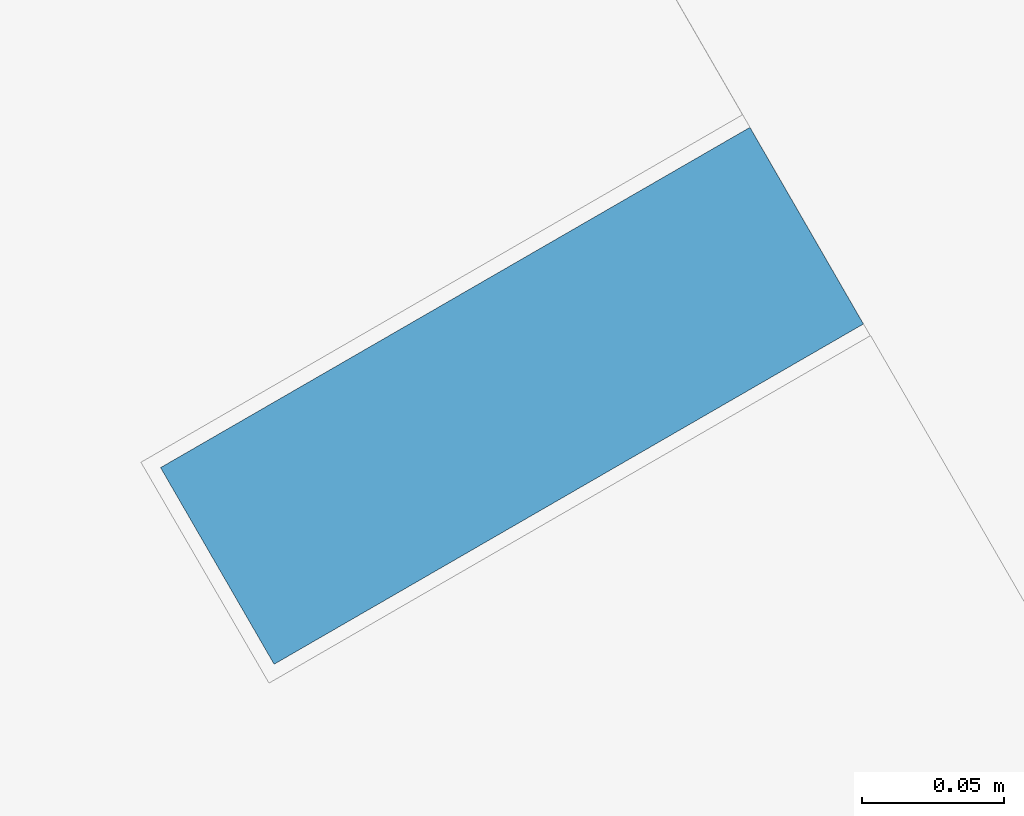
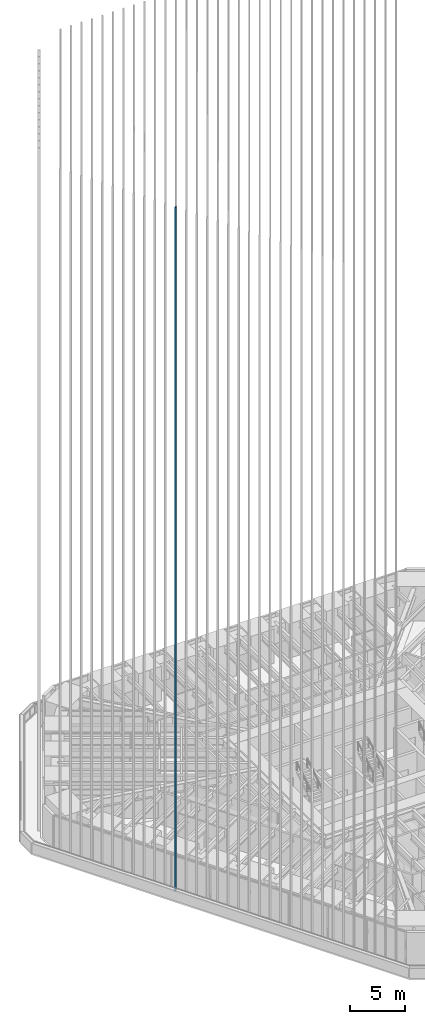
# One storey, part 44 of 238: 1 member, 1 element without a shape of its own.
"""IFC4 building model written with IfcOpenShell, lengths in metres."""

from ifc_helpers import new_model, si_unit, direction, frame, origin, origin_2d, place, context, subcontext, project, spatial, rectangle, extrude, material, material_profile, profile_set, type_object, element, aggregate, save


model = new_model("IFC4")

# Units and contexts
model_context = context("Model", 3, precision=1e-05, world=origin(), true_north=direction((0.0, 1.0)))
body_context = subcontext(model_context, "Body", "Model", "MODEL_VIEW")
ifc_project = project(units=[si_unit("LENGTHUNIT", "METRE"), si_unit("AREAUNIT", "SQUARE_METRE"), si_unit("VOLUMEUNIT", "CUBIC_METRE"), si_unit("PLANEANGLEUNIT", "RADIAN"), si_unit("MASSUNIT", "GRAM", prefix="KILO")], contexts=[model_context])

# Site, building, storey
site_placement = place(None, origin())
site = spatial("IfcSite", under=ifc_project, at=site_placement, CompositionType="ELEMENT")
building_placement = place(site_placement, origin())
building = spatial("IfcBuilding", under=site, at=building_placement, Name="Sandreach Pilgrim Tower", CompositionType="ELEMENT")
storey_placement = place(building_placement, frame((0.0, 0.0, 96.800048828125)))
storey = spatial("IfcBuildingStorey", under=building, at=storey_placement, Name="L23", CompositionType="ELEMENT", Elevation=96.800048828125)

# Curtain wall, member
ifc_material_1 = material(Name="Aluminium framed curtain wall", Category="aluminium")
curtain_wall_type = type_object("IfcCurtainWallType", Name="Hotel tower curtain wall", PredefinedType="NOTDEFINED", material=ifc_material_1)
curtain_wall_placement = place(storey_placement, origin())
curtain_wall = element("IfcCurtainWall", 1, at=curtain_wall_placement, inside=storey, type_object=curtain_wall_type, Name="CW-2 L23 SW", PredefinedType="NOTDEFINED")
ifc_material_2 = material(Name="Extruded terracotta on aluminium core", Category="masonry")
ifc_material_profile = material_profile(ifc_material_2, rectangle(XDim=0.080078125, YDim=0.239990234375, at=origin_2d()), Name="TBW 80X240")
ifc_profile_set = profile_set([ifc_material_profile], Name="Extruded terracotta on aluminium core")
member_type = type_object("IfcMemberType", Name="Terracotta baguette west", PredefinedType="USERDEFINED", material=ifc_profile_set)
member_placement = place(storey_placement, frame((-22.597412109375, -6.687744140625, 0.0), z_axis=(0.0, 0.0, 1.0), x_axis=(-0.5, 0.866025403784, 0.0)))
member = element("IfcMember", 2, at=member_placement, type_object=member_type, Name="Baguette Z2 SW22", ObjectType="BAGUETTE", PredefinedType="USERDEFINED", context=body_context, shape_type="SweptSolid", body=[
    extrude(rectangle(XDim=0.080078125, YDim=0.239990234375, at=origin_2d()), origin(), (0.0, 0.0, 1.0), 75.83984375),
])
aggregate(curtain_wall, [member])

save(model, "model.ifc")
